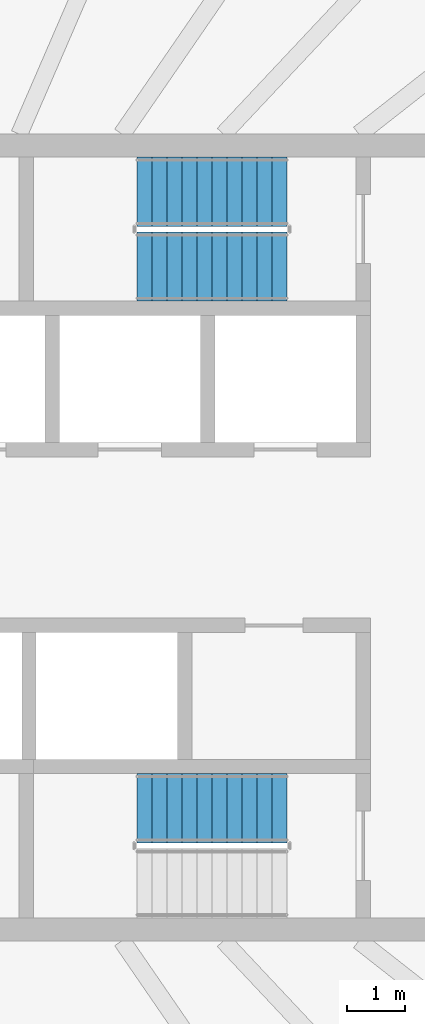
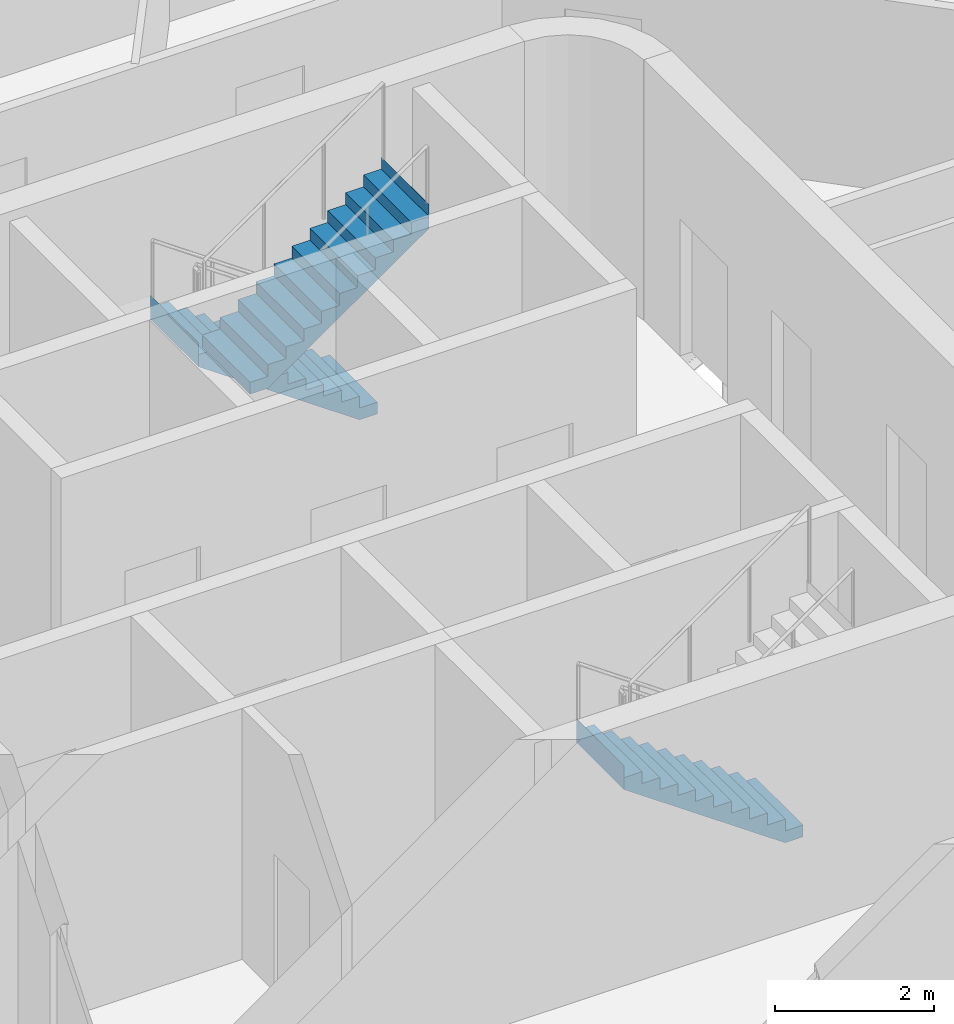
# One storey, part 14 of 19: 3 stair flights, 2 elements without a shape of their own.
"""IFC4 building model written with IfcOpenShell, lengths in metres."""

from ifc_helpers import new_model, si_unit, direction, frame, origin, place, context, subcontext, project, spatial, triangles, material, type_object, element, aggregate, save


model = new_model("IFC4")

# Units and contexts
model_context = context("Model", 3, precision=1e-05, world=origin(), true_north=direction((0.0, 1.0)))
body_context = subcontext(model_context, "Body", "Model", "MODEL_VIEW")
ifc_project = project(units=[si_unit("LENGTHUNIT", "METRE"), si_unit("AREAUNIT", "SQUARE_METRE"), si_unit("VOLUMEUNIT", "CUBIC_METRE"), si_unit("PLANEANGLEUNIT", "RADIAN"), si_unit("MASSUNIT", "GRAM", prefix="KILO")], contexts=[model_context])

# Site, building, storey
site_placement = place(None, origin())
site = spatial("IfcSite", under=ifc_project, at=site_placement, CompositionType="ELEMENT")
building_placement = place(site_placement, origin())
building = spatial("IfcBuilding", under=site, at=building_placement, Name="Sahrelin Media Tower", CompositionType="ELEMENT")
storey_placement = place(building_placement, frame((0.0, 0.0, 275.0)))
storey = spatial("IfcBuildingStorey", under=building, at=storey_placement, Name="L60", CompositionType="ELEMENT", Elevation=275.0)

# Stair, stair flights
ifc_material = material(Name="Concrete C40/50", Category="concrete")
stair_type = type_object("IfcStairType", Name="Exit stair 1200", PredefinedType="HALF_TURN_STAIR", material=ifc_material)
placement = place(storey_placement, origin())
stair_1 = element("IfcStair", 1, at=placement, inside=storey, type_object=stair_type, Name="L60 Exit stair ST3", PredefinedType="HALF_TURN_STAIR")
stair_flight_type = type_object("IfcStairFlightType", Name="Stair flight 1200", PredefinedType="STRAIGHT", material=ifc_material)
stair_flight_1_placement = place(storey_placement, frame((7.675048828125, 6.0, 0.0), z_axis=(0.0, 0.0, 1.0), x_axis=(-1.0, 0.0, 0.0)))
stair_flight_1 = element("IfcStairFlight", 2, at=stair_flight_1_placement, type_object=stair_flight_type, Name="ST3 flight 1", NumberOfRisers=11, NumberOfTreads=10, PredefinedType="STRAIGHT", RiserHeight=0.181818182, TreadLength=0.26, context=body_context, shape_type="Tessellation", body=[
    triangles([(0.261474609375, 0.60009765625, 0.0), (0.261474609375, 0.300048828125, 0.0), (0.261474609375, 0.0, 0.0), (0.261474609375, -0.300048828125, 0.0), (0.261474609375, -0.60009765625, 0.0), (2.60009765625, 0.60009765625, 1.63525390625), (2.60009765625, 0.300048828125, 1.63525390625), (2.60009765625, 0.0, 1.63525390625), (2.60009765625, -0.300048828125, 1.63525390625), (2.60009765625, -0.60009765625, 1.63525390625), (2.60009765625, 0.60009765625, 2.0), (2.60009765625, 0.300048828125, 2.0), (2.60009765625, 0.0, 2.0), (2.60009765625, -0.300048828125, 2.0), (2.60009765625, -0.60009765625, 2.0), (2.597900390625, 0.60009765625, 2.0), (2.597900390625, 0.300048828125, 2.0), (2.597900390625, 0.0, 2.0), (2.597900390625, -0.300048828125, 2.0), (2.597900390625, -0.60009765625, 2.0), (2.597900390625, 0.60009765625, 1.818115234375), (2.597900390625, 0.300048828125, 1.818115234375), (2.597900390625, 0.0, 1.818115234375), (2.597900390625, -0.300048828125, 1.818115234375), (2.597900390625, -0.60009765625, 1.818115234375), (2.340087890625, 0.60009765625, 1.818115234375), (2.340087890625, 0.300048828125, 1.818115234375), (2.340087890625, 0.0, 1.818115234375), (2.340087890625, -0.300048828125, 1.818115234375), (2.340087890625, -0.60009765625, 1.818115234375), (2.340087890625, 0.60009765625, 1.636474609375), (2.340087890625, 0.300048828125, 1.636474609375), (2.340087890625, 0.0, 1.636474609375), (2.340087890625, -0.300048828125, 1.636474609375), (2.340087890625, -0.60009765625, 1.636474609375), (2.080078125, 0.60009765625, 1.636474609375), (2.080078125, 0.300048828125, 1.636474609375), (2.080078125, 0.0, 1.636474609375), (2.080078125, -0.300048828125, 1.636474609375), (2.080078125, -0.60009765625, 1.636474609375), (2.080078125, 0.60009765625, 1.45458984375), (2.080078125, 0.300048828125, 1.45458984375), (2.080078125, 0.0, 1.45458984375), (2.080078125, -0.300048828125, 1.45458984375), (2.080078125, -0.60009765625, 1.45458984375), (1.820068359375, 0.60009765625, 1.45458984375), (1.820068359375, 0.300048828125, 1.45458984375), (1.820068359375, 0.0, 1.45458984375), (1.820068359375, -0.300048828125, 1.45458984375), (1.820068359375, -0.60009765625, 1.45458984375), (1.820068359375, 0.60009765625, 1.272705078125), (1.820068359375, 0.300048828125, 1.272705078125), (1.820068359375, 0.0, 1.272705078125), (1.820068359375, -0.300048828125, 1.272705078125), (1.820068359375, -0.60009765625, 1.272705078125), (1.56005859375, 0.60009765625, 1.272705078125), (1.56005859375, 0.300048828125, 1.272705078125), (1.56005859375, 0.0, 1.272705078125), (1.56005859375, -0.300048828125, 1.272705078125), (1.56005859375, -0.60009765625, 1.272705078125), (1.56005859375, 0.60009765625, 1.0908203125), (1.56005859375, 0.300048828125, 1.0908203125), (1.56005859375, 0.0, 1.0908203125), (1.56005859375, -0.300048828125, 1.0908203125), (1.56005859375, -0.60009765625, 1.0908203125), (1.300048828125, 0.60009765625, 1.0908203125), (1.300048828125, 0.300048828125, 1.0908203125), (1.300048828125, 0.0, 1.0908203125), (1.300048828125, -0.300048828125, 1.0908203125), (1.300048828125, -0.60009765625, 1.0908203125), (1.300048828125, 0.60009765625, 0.9091796875), (1.300048828125, 0.300048828125, 0.9091796875), (1.300048828125, 0.0, 0.9091796875), (1.300048828125, -0.300048828125, 0.9091796875), (1.300048828125, -0.60009765625, 0.9091796875), (1.0400390625, 0.60009765625, 0.9091796875), (1.0400390625, 0.300048828125, 0.9091796875), (1.0400390625, 0.0, 0.9091796875), (1.0400390625, -0.300048828125, 0.9091796875), (1.0400390625, -0.60009765625, 0.9091796875), (1.0400390625, 0.60009765625, 0.727294921875), (1.0400390625, 0.300048828125, 0.727294921875), (1.0400390625, 0.0, 0.727294921875), (1.0400390625, -0.300048828125, 0.727294921875), (1.0400390625, -0.60009765625, 0.727294921875), (0.780029296875, 0.60009765625, 0.727294921875), (0.780029296875, 0.300048828125, 0.727294921875), (0.780029296875, 0.0, 0.727294921875), (0.780029296875, -0.300048828125, 0.727294921875), (0.780029296875, -0.60009765625, 0.727294921875), (0.780029296875, 0.60009765625, 0.54541015625), (0.780029296875, 0.300048828125, 0.54541015625), (0.780029296875, 0.0, 0.54541015625), (0.780029296875, -0.300048828125, 0.54541015625), (0.780029296875, -0.60009765625, 0.54541015625), (0.52001953125, 0.60009765625, 0.54541015625), (0.52001953125, 0.300048828125, 0.54541015625), (0.52001953125, 0.0, 0.54541015625), (0.52001953125, -0.300048828125, 0.54541015625), (0.52001953125, -0.60009765625, 0.54541015625), (0.52001953125, 0.60009765625, 0.363525390625), (0.52001953125, 0.300048828125, 0.363525390625), (0.52001953125, 0.0, 0.363525390625), (0.52001953125, -0.300048828125, 0.363525390625), (0.52001953125, -0.60009765625, 0.363525390625), (0.260009765625, 0.60009765625, 0.363525390625), (0.260009765625, 0.300048828125, 0.363525390625), (0.260009765625, 0.0, 0.363525390625), (0.260009765625, -0.300048828125, 0.363525390625), (0.260009765625, -0.60009765625, 0.363525390625), (0.260009765625, 0.60009765625, 0.181884765625), (0.260009765625, 0.300048828125, 0.181884765625), (0.260009765625, 0.0, 0.181884765625), (0.260009765625, -0.300048828125, 0.181884765625), (0.260009765625, -0.60009765625, 0.181884765625), (0.0, 0.60009765625, 0.181884765625), (0.0, 0.300048828125, 0.181884765625), (0.0, 0.0, 0.181884765625), (0.0, -0.300048828125, 0.181884765625), (0.0, -0.60009765625, 0.181884765625), (0.0, 0.60009765625, 0.0), (0.0, 0.300048828125, 0.0), (0.0, 0.0, 0.0), (0.0, -0.300048828125, 0.0), (0.0, -0.60009765625, 0.0)], [[1, 6, 7], [1, 7, 2], [2, 7, 8], [2, 8, 3], [3, 8, 9], [3, 9, 4], [4, 9, 10], [4, 10, 5], [6, 11, 12], [6, 12, 7], [7, 12, 13], [7, 13, 8], [8, 13, 14], [8, 14, 9], [9, 14, 15], [9, 15, 10], [11, 16, 17], [11, 17, 12], [12, 17, 18], [12, 18, 13], [13, 18, 19], [13, 19, 14], [14, 19, 20], [14, 20, 15], [16, 21, 22], [16, 22, 17], [17, 22, 23], [17, 23, 18], [18, 23, 24], [18, 24, 19], [19, 24, 25], [19, 25, 20], [21, 26, 27], [21, 27, 22], [22, 27, 28], [22, 28, 23], [23, 28, 29], [23, 29, 24], [24, 29, 30], [24, 30, 25], [26, 31, 32], [26, 32, 27], [27, 32, 33], [27, 33, 28], [28, 33, 34], [28, 34, 29], [29, 34, 35], [29, 35, 30], [31, 36, 37], [31, 37, 32], [32, 37, 38], [32, 38, 33], [33, 38, 39], [33, 39, 34], [34, 39, 40], [34, 40, 35], [36, 41, 42], [36, 42, 37], [37, 42, 43], [37, 43, 38], [38, 43, 44], [38, 44, 39], [39, 44, 45], [39, 45, 40], [41, 46, 47], [41, 47, 42], [42, 47, 48], [42, 48, 43], [43, 48, 49], [43, 49, 44], [44, 49, 50], [44, 50, 45], [46, 51, 52], [46, 52, 47], [47, 52, 53], [47, 53, 48], [48, 53, 54], [48, 54, 49], [49, 54, 55], [49, 55, 50], [51, 56, 57], [51, 57, 52], [52, 57, 58], [52, 58, 53], [53, 58, 59], [53, 59, 54], [54, 59, 60], [54, 60, 55], [56, 61, 62], [56, 62, 57], [57, 62, 63], [57, 63, 58], [58, 63, 64], [58, 64, 59], [59, 64, 65], [59, 65, 60], [61, 66, 67], [61, 67, 62], [62, 67, 68], [62, 68, 63], [63, 68, 69], [63, 69, 64], [64, 69, 70], [64, 70, 65], [66, 71, 72], [66, 72, 67], [67, 72, 73], [67, 73, 68], [68, 73, 74], [68, 74, 69], [69, 74, 75], [69, 75, 70], [71, 76, 77], [71, 77, 72], [72, 77, 78], [72, 78, 73], [73, 78, 79], [73, 79, 74], [74, 79, 80], [74, 80, 75], [76, 81, 82], [76, 82, 77], [77, 82, 83], [77, 83, 78], [78, 83, 84], [78, 84, 79], [79, 84, 85], [79, 85, 80], [81, 86, 87], [81, 87, 82], [82, 87, 88], [82, 88, 83], [83, 88, 89], [83, 89, 84], [84, 89, 90], [84, 90, 85], [86, 91, 92], [86, 92, 87], [87, 92, 93], [87, 93, 88], [88, 93, 94], [88, 94, 89], [89, 94, 95], [89, 95, 90], [91, 96, 97], [91, 97, 92], [92, 97, 98], [92, 98, 93], [93, 98, 99], [93, 99, 94], [94, 99, 100], [94, 100, 95], [96, 101, 102], [96, 102, 97], [97, 102, 103], [97, 103, 98], [98, 103, 104], [98, 104, 99], [99, 104, 105], [99, 105, 100], [101, 106, 107], [101, 107, 102], [102, 107, 108], [102, 108, 103], [103, 108, 109], [103, 109, 104], [104, 109, 110], [104, 110, 105], [106, 111, 112], [106, 112, 107], [107, 112, 113], [107, 113, 108], [108, 113, 114], [108, 114, 109], [109, 114, 115], [109, 115, 110], [111, 116, 117], [111, 117, 112], [112, 117, 118], [112, 118, 113], [113, 118, 119], [113, 119, 114], [114, 119, 120], [114, 120, 115], [116, 121, 122], [116, 122, 117], [117, 122, 123], [117, 123, 118], [118, 123, 124], [118, 124, 119], [119, 124, 125], [119, 125, 120], [121, 1, 2], [121, 2, 122], [122, 2, 3], [122, 3, 123], [123, 3, 4], [123, 4, 124], [124, 4, 5], [124, 5, 125], [115, 120, 125], [111, 121, 116], [115, 105, 110], [111, 106, 101], [105, 95, 100], [101, 96, 91], [95, 85, 90], [91, 86, 81], [85, 75, 80], [81, 76, 71], [75, 65, 70], [71, 66, 61], [65, 55, 60], [61, 56, 51], [55, 45, 50], [51, 46, 41], [45, 35, 40], [41, 36, 31], [35, 25, 30], [31, 26, 21], [25, 15, 20], [21, 16, 11], [125, 5, 115], [121, 111, 1], [25, 10, 15], [21, 11, 6], [105, 115, 5], [101, 1, 111], [35, 10, 25], [31, 21, 6], [95, 105, 5], [91, 1, 101], [45, 10, 35], [41, 31, 6], [85, 95, 5], [81, 1, 91], [55, 10, 45], [51, 41, 6], [75, 85, 5], [71, 1, 81], [65, 10, 55], [61, 51, 6], [5, 10, 75], [1, 71, 6], [75, 10, 65], [71, 61, 6]], closed=True),
])
stair_flight_2_placement = place(storey_placement, frame((5.074951171875, 4.699951171875, 2.0), z_axis=(0.0, 0.0, 1.0), x_axis=(1.0, 0.0, 0.0)))
stair_flight_2 = element("IfcStairFlight", 3, at=stair_flight_2_placement, type_object=stair_flight_type, Name="ST3 flight 2", NumberOfRisers=11, NumberOfTreads=10, PredefinedType="STRAIGHT", RiserHeight=0.181818182, TreadLength=0.26, context=body_context, shape_type="Tessellation", body=[
    triangles([(0.261474609375, 0.60009765625, 0.0), (0.261474609375, 0.300048828125, 0.0), (0.261474609375, 0.0, 0.0), (0.261474609375, -0.300048828125, 0.0), (0.261474609375, -0.60009765625, 0.0), (2.60009765625, 0.60009765625, 1.63525390625), (2.60009765625, 0.300048828125, 1.63525390625), (2.60009765625, 0.0, 1.63525390625), (2.60009765625, -0.300048828125, 1.63525390625), (2.60009765625, -0.60009765625, 1.63525390625), (2.60009765625, 0.60009765625, 2.0), (2.60009765625, 0.300048828125, 2.0), (2.60009765625, 0.0, 2.0), (2.60009765625, -0.300048828125, 2.0), (2.60009765625, -0.60009765625, 2.0), (2.597900390625, 0.60009765625, 2.0), (2.597900390625, 0.300048828125, 2.0), (2.597900390625, 0.0, 2.0), (2.597900390625, -0.300048828125, 2.0), (2.597900390625, -0.60009765625, 2.0), (2.597900390625, 0.60009765625, 1.818115234375), (2.597900390625, 0.300048828125, 1.818115234375), (2.597900390625, 0.0, 1.818115234375), (2.597900390625, -0.300048828125, 1.818115234375), (2.597900390625, -0.60009765625, 1.818115234375), (2.340087890625, 0.60009765625, 1.818115234375), (2.340087890625, 0.300048828125, 1.818115234375), (2.340087890625, 0.0, 1.818115234375), (2.340087890625, -0.300048828125, 1.818115234375), (2.340087890625, -0.60009765625, 1.818115234375), (2.340087890625, 0.60009765625, 1.636474609375), (2.340087890625, 0.300048828125, 1.636474609375), (2.340087890625, 0.0, 1.636474609375), (2.340087890625, -0.300048828125, 1.636474609375), (2.340087890625, -0.60009765625, 1.636474609375), (2.080078125, 0.60009765625, 1.636474609375), (2.080078125, 0.300048828125, 1.636474609375), (2.080078125, 0.0, 1.636474609375), (2.080078125, -0.300048828125, 1.636474609375), (2.080078125, -0.60009765625, 1.636474609375), (2.080078125, 0.60009765625, 1.45458984375), (2.080078125, 0.300048828125, 1.45458984375), (2.080078125, 0.0, 1.45458984375), (2.080078125, -0.300048828125, 1.45458984375), (2.080078125, -0.60009765625, 1.45458984375), (1.820068359375, 0.60009765625, 1.45458984375), (1.820068359375, 0.300048828125, 1.45458984375), (1.820068359375, 0.0, 1.45458984375), (1.820068359375, -0.300048828125, 1.45458984375), (1.820068359375, -0.60009765625, 1.45458984375), (1.820068359375, 0.60009765625, 1.272705078125), (1.820068359375, 0.300048828125, 1.272705078125), (1.820068359375, 0.0, 1.272705078125), (1.820068359375, -0.300048828125, 1.272705078125), (1.820068359375, -0.60009765625, 1.272705078125), (1.56005859375, 0.60009765625, 1.272705078125), (1.56005859375, 0.300048828125, 1.272705078125), (1.56005859375, 0.0, 1.272705078125), (1.56005859375, -0.300048828125, 1.272705078125), (1.56005859375, -0.60009765625, 1.272705078125), (1.56005859375, 0.60009765625, 1.0908203125), (1.56005859375, 0.300048828125, 1.0908203125), (1.56005859375, 0.0, 1.0908203125), (1.56005859375, -0.300048828125, 1.0908203125), (1.56005859375, -0.60009765625, 1.0908203125), (1.300048828125, 0.60009765625, 1.0908203125), (1.300048828125, 0.300048828125, 1.0908203125), (1.300048828125, 0.0, 1.0908203125), (1.300048828125, -0.300048828125, 1.0908203125), (1.300048828125, -0.60009765625, 1.0908203125), (1.300048828125, 0.60009765625, 0.9091796875), (1.300048828125, 0.300048828125, 0.9091796875), (1.300048828125, 0.0, 0.9091796875), (1.300048828125, -0.300048828125, 0.9091796875), (1.300048828125, -0.60009765625, 0.9091796875), (1.0400390625, 0.60009765625, 0.9091796875), (1.0400390625, 0.300048828125, 0.9091796875), (1.0400390625, 0.0, 0.9091796875), (1.0400390625, -0.300048828125, 0.9091796875), (1.0400390625, -0.60009765625, 0.9091796875), (1.0400390625, 0.60009765625, 0.727294921875), (1.0400390625, 0.300048828125, 0.727294921875), (1.0400390625, 0.0, 0.727294921875), (1.0400390625, -0.300048828125, 0.727294921875), (1.0400390625, -0.60009765625, 0.727294921875), (0.780029296875, 0.60009765625, 0.727294921875), (0.780029296875, 0.300048828125, 0.727294921875), (0.780029296875, 0.0, 0.727294921875), (0.780029296875, -0.300048828125, 0.727294921875), (0.780029296875, -0.60009765625, 0.727294921875), (0.780029296875, 0.60009765625, 0.54541015625), (0.780029296875, 0.300048828125, 0.54541015625), (0.780029296875, 0.0, 0.54541015625), (0.780029296875, -0.300048828125, 0.54541015625), (0.780029296875, -0.60009765625, 0.54541015625), (0.52001953125, 0.60009765625, 0.54541015625), (0.52001953125, 0.300048828125, 0.54541015625), (0.52001953125, 0.0, 0.54541015625), (0.52001953125, -0.300048828125, 0.54541015625), (0.52001953125, -0.60009765625, 0.54541015625), (0.52001953125, 0.60009765625, 0.363525390625), (0.52001953125, 0.300048828125, 0.363525390625), (0.52001953125, 0.0, 0.363525390625), (0.52001953125, -0.300048828125, 0.363525390625), (0.52001953125, -0.60009765625, 0.363525390625), (0.260009765625, 0.60009765625, 0.363525390625), (0.260009765625, 0.300048828125, 0.363525390625), (0.260009765625, 0.0, 0.363525390625), (0.260009765625, -0.300048828125, 0.363525390625), (0.260009765625, -0.60009765625, 0.363525390625), (0.260009765625, 0.60009765625, 0.181884765625), (0.260009765625, 0.300048828125, 0.181884765625), (0.260009765625, 0.0, 0.181884765625), (0.260009765625, -0.300048828125, 0.181884765625), (0.260009765625, -0.60009765625, 0.181884765625), (0.0, 0.60009765625, 0.181884765625), (0.0, 0.300048828125, 0.181884765625), (0.0, 0.0, 0.181884765625), (0.0, -0.300048828125, 0.181884765625), (0.0, -0.60009765625, 0.181884765625), (0.0, 0.60009765625, 0.0), (0.0, 0.300048828125, 0.0), (0.0, 0.0, 0.0), (0.0, -0.300048828125, 0.0), (0.0, -0.60009765625, 0.0)], [[1, 6, 7], [1, 7, 2], [2, 7, 8], [2, 8, 3], [3, 8, 9], [3, 9, 4], [4, 9, 10], [4, 10, 5], [6, 11, 12], [6, 12, 7], [7, 12, 13], [7, 13, 8], [8, 13, 14], [8, 14, 9], [9, 14, 15], [9, 15, 10], [11, 16, 17], [11, 17, 12], [12, 17, 18], [12, 18, 13], [13, 18, 19], [13, 19, 14], [14, 19, 20], [14, 20, 15], [16, 21, 22], [16, 22, 17], [17, 22, 23], [17, 23, 18], [18, 23, 24], [18, 24, 19], [19, 24, 25], [19, 25, 20], [21, 26, 27], [21, 27, 22], [22, 27, 28], [22, 28, 23], [23, 28, 29], [23, 29, 24], [24, 29, 30], [24, 30, 25], [26, 31, 32], [26, 32, 27], [27, 32, 33], [27, 33, 28], [28, 33, 34], [28, 34, 29], [29, 34, 35], [29, 35, 30], [31, 36, 37], [31, 37, 32], [32, 37, 38], [32, 38, 33], [33, 38, 39], [33, 39, 34], [34, 39, 40], [34, 40, 35], [36, 41, 42], [36, 42, 37], [37, 42, 43], [37, 43, 38], [38, 43, 44], [38, 44, 39], [39, 44, 45], [39, 45, 40], [41, 46, 47], [41, 47, 42], [42, 47, 48], [42, 48, 43], [43, 48, 49], [43, 49, 44], [44, 49, 50], [44, 50, 45], [46, 51, 52], [46, 52, 47], [47, 52, 53], [47, 53, 48], [48, 53, 54], [48, 54, 49], [49, 54, 55], [49, 55, 50], [51, 56, 57], [51, 57, 52], [52, 57, 58], [52, 58, 53], [53, 58, 59], [53, 59, 54], [54, 59, 60], [54, 60, 55], [56, 61, 62], [56, 62, 57], [57, 62, 63], [57, 63, 58], [58, 63, 64], [58, 64, 59], [59, 64, 65], [59, 65, 60], [61, 66, 67], [61, 67, 62], [62, 67, 68], [62, 68, 63], [63, 68, 69], [63, 69, 64], [64, 69, 70], [64, 70, 65], [66, 71, 72], [66, 72, 67], [67, 72, 73], [67, 73, 68], [68, 73, 74], [68, 74, 69], [69, 74, 75], [69, 75, 70], [71, 76, 77], [71, 77, 72], [72, 77, 78], [72, 78, 73], [73, 78, 79], [73, 79, 74], [74, 79, 80], [74, 80, 75], [76, 81, 82], [76, 82, 77], [77, 82, 83], [77, 83, 78], [78, 83, 84], [78, 84, 79], [79, 84, 85], [79, 85, 80], [81, 86, 87], [81, 87, 82], [82, 87, 88], [82, 88, 83], [83, 88, 89], [83, 89, 84], [84, 89, 90], [84, 90, 85], [86, 91, 92], [86, 92, 87], [87, 92, 93], [87, 93, 88], [88, 93, 94], [88, 94, 89], [89, 94, 95], [89, 95, 90], [91, 96, 97], [91, 97, 92], [92, 97, 98], [92, 98, 93], [93, 98, 99], [93, 99, 94], [94, 99, 100], [94, 100, 95], [96, 101, 102], [96, 102, 97], [97, 102, 103], [97, 103, 98], [98, 103, 104], [98, 104, 99], [99, 104, 105], [99, 105, 100], [101, 106, 107], [101, 107, 102], [102, 107, 108], [102, 108, 103], [103, 108, 109], [103, 109, 104], [104, 109, 110], [104, 110, 105], [106, 111, 112], [106, 112, 107], [107, 112, 113], [107, 113, 108], [108, 113, 114], [108, 114, 109], [109, 114, 115], [109, 115, 110], [111, 116, 117], [111, 117, 112], [112, 117, 118], [112, 118, 113], [113, 118, 119], [113, 119, 114], [114, 119, 120], [114, 120, 115], [116, 121, 122], [116, 122, 117], [117, 122, 123], [117, 123, 118], [118, 123, 124], [118, 124, 119], [119, 124, 125], [119, 125, 120], [121, 1, 2], [121, 2, 122], [122, 2, 3], [122, 3, 123], [123, 3, 4], [123, 4, 124], [124, 4, 5], [124, 5, 125], [115, 120, 125], [111, 121, 116], [115, 105, 110], [111, 106, 101], [105, 95, 100], [101, 96, 91], [95, 85, 90], [91, 86, 81], [85, 75, 80], [81, 76, 71], [75, 65, 70], [71, 66, 61], [65, 55, 60], [61, 56, 51], [55, 45, 50], [51, 46, 41], [45, 35, 40], [41, 36, 31], [35, 25, 30], [31, 26, 21], [25, 15, 20], [21, 16, 11], [125, 5, 115], [121, 111, 1], [25, 10, 15], [21, 11, 6], [105, 115, 5], [101, 1, 111], [35, 10, 25], [31, 21, 6], [95, 105, 5], [91, 1, 101], [45, 10, 35], [41, 31, 6], [85, 95, 5], [81, 1, 91], [55, 10, 45], [51, 41, 6], [75, 85, 5], [71, 1, 81], [65, 10, 55], [61, 51, 6], [5, 10, 75], [1, 71, 6], [75, 10, 65], [71, 61, 6]], closed=True),
])
aggregate(stair_1, [stair_flight_1, stair_flight_2])

# Stair, stair flight
stair_2 = element("IfcStair", 4, at=placement, inside=storey, type_object=stair_type, Name="L60 Exit stair ST2", PredefinedType="HALF_TURN_STAIR")
stair_flight_3_placement = place(storey_placement, frame((7.675048828125, -4.699951171875, 0.0), z_axis=(0.0, 0.0, 1.0), x_axis=(-1.0, 0.0, 0.0)))
stair_flight_3 = element("IfcStairFlight", 5, at=stair_flight_3_placement, type_object=stair_flight_type, Name="ST2 flight 1", NumberOfRisers=11, NumberOfTreads=10, PredefinedType="STRAIGHT", RiserHeight=0.181818182, TreadLength=0.26, context=body_context, shape_type="Tessellation", body=[
    triangles([(0.261474609375, 0.60009765625, 0.0), (0.261474609375, 0.300048828125, 0.0), (0.261474609375, 0.0, 0.0), (0.261474609375, -0.300048828125, 0.0), (0.261474609375, -0.60009765625, 0.0), (2.60009765625, 0.60009765625, 1.63525390625), (2.60009765625, 0.300048828125, 1.63525390625), (2.60009765625, 0.0, 1.63525390625), (2.60009765625, -0.300048828125, 1.63525390625), (2.60009765625, -0.60009765625, 1.63525390625), (2.60009765625, 0.60009765625, 2.0), (2.60009765625, 0.300048828125, 2.0), (2.60009765625, 0.0, 2.0), (2.60009765625, -0.300048828125, 2.0), (2.60009765625, -0.60009765625, 2.0), (2.597900390625, 0.60009765625, 2.0), (2.597900390625, 0.300048828125, 2.0), (2.597900390625, 0.0, 2.0), (2.597900390625, -0.300048828125, 2.0), (2.597900390625, -0.60009765625, 2.0), (2.597900390625, 0.60009765625, 1.818115234375), (2.597900390625, 0.300048828125, 1.818115234375), (2.597900390625, 0.0, 1.818115234375), (2.597900390625, -0.300048828125, 1.818115234375), (2.597900390625, -0.60009765625, 1.818115234375), (2.340087890625, 0.60009765625, 1.818115234375), (2.340087890625, 0.300048828125, 1.818115234375), (2.340087890625, 0.0, 1.818115234375), (2.340087890625, -0.300048828125, 1.818115234375), (2.340087890625, -0.60009765625, 1.818115234375), (2.340087890625, 0.60009765625, 1.636474609375), (2.340087890625, 0.300048828125, 1.636474609375), (2.340087890625, 0.0, 1.636474609375), (2.340087890625, -0.300048828125, 1.636474609375), (2.340087890625, -0.60009765625, 1.636474609375), (2.080078125, 0.60009765625, 1.636474609375), (2.080078125, 0.300048828125, 1.636474609375), (2.080078125, 0.0, 1.636474609375), (2.080078125, -0.300048828125, 1.636474609375), (2.080078125, -0.60009765625, 1.636474609375), (2.080078125, 0.60009765625, 1.45458984375), (2.080078125, 0.300048828125, 1.45458984375), (2.080078125, 0.0, 1.45458984375), (2.080078125, -0.300048828125, 1.45458984375), (2.080078125, -0.60009765625, 1.45458984375), (1.820068359375, 0.60009765625, 1.45458984375), (1.820068359375, 0.300048828125, 1.45458984375), (1.820068359375, 0.0, 1.45458984375), (1.820068359375, -0.300048828125, 1.45458984375), (1.820068359375, -0.60009765625, 1.45458984375), (1.820068359375, 0.60009765625, 1.272705078125), (1.820068359375, 0.300048828125, 1.272705078125), (1.820068359375, 0.0, 1.272705078125), (1.820068359375, -0.300048828125, 1.272705078125), (1.820068359375, -0.60009765625, 1.272705078125), (1.56005859375, 0.60009765625, 1.272705078125), (1.56005859375, 0.300048828125, 1.272705078125), (1.56005859375, 0.0, 1.272705078125), (1.56005859375, -0.300048828125, 1.272705078125), (1.56005859375, -0.60009765625, 1.272705078125), (1.56005859375, 0.60009765625, 1.0908203125), (1.56005859375, 0.300048828125, 1.0908203125), (1.56005859375, 0.0, 1.0908203125), (1.56005859375, -0.300048828125, 1.0908203125), (1.56005859375, -0.60009765625, 1.0908203125), (1.300048828125, 0.60009765625, 1.0908203125), (1.300048828125, 0.300048828125, 1.0908203125), (1.300048828125, 0.0, 1.0908203125), (1.300048828125, -0.300048828125, 1.0908203125), (1.300048828125, -0.60009765625, 1.0908203125), (1.300048828125, 0.60009765625, 0.9091796875), (1.300048828125, 0.300048828125, 0.9091796875), (1.300048828125, 0.0, 0.9091796875), (1.300048828125, -0.300048828125, 0.9091796875), (1.300048828125, -0.60009765625, 0.9091796875), (1.0400390625, 0.60009765625, 0.9091796875), (1.0400390625, 0.300048828125, 0.9091796875), (1.0400390625, 0.0, 0.9091796875), (1.0400390625, -0.300048828125, 0.9091796875), (1.0400390625, -0.60009765625, 0.9091796875), (1.0400390625, 0.60009765625, 0.727294921875), (1.0400390625, 0.300048828125, 0.727294921875), (1.0400390625, 0.0, 0.727294921875), (1.0400390625, -0.300048828125, 0.727294921875), (1.0400390625, -0.60009765625, 0.727294921875), (0.780029296875, 0.60009765625, 0.727294921875), (0.780029296875, 0.300048828125, 0.727294921875), (0.780029296875, 0.0, 0.727294921875), (0.780029296875, -0.300048828125, 0.727294921875), (0.780029296875, -0.60009765625, 0.727294921875), (0.780029296875, 0.60009765625, 0.54541015625), (0.780029296875, 0.300048828125, 0.54541015625), (0.780029296875, 0.0, 0.54541015625), (0.780029296875, -0.300048828125, 0.54541015625), (0.780029296875, -0.60009765625, 0.54541015625), (0.52001953125, 0.60009765625, 0.54541015625), (0.52001953125, 0.300048828125, 0.54541015625), (0.52001953125, 0.0, 0.54541015625), (0.52001953125, -0.300048828125, 0.54541015625), (0.52001953125, -0.60009765625, 0.54541015625), (0.52001953125, 0.60009765625, 0.363525390625), (0.52001953125, 0.300048828125, 0.363525390625), (0.52001953125, 0.0, 0.363525390625), (0.52001953125, -0.300048828125, 0.363525390625), (0.52001953125, -0.60009765625, 0.363525390625), (0.260009765625, 0.60009765625, 0.363525390625), (0.260009765625, 0.300048828125, 0.363525390625), (0.260009765625, 0.0, 0.363525390625), (0.260009765625, -0.300048828125, 0.363525390625), (0.260009765625, -0.60009765625, 0.363525390625), (0.260009765625, 0.60009765625, 0.181884765625), (0.260009765625, 0.300048828125, 0.181884765625), (0.260009765625, 0.0, 0.181884765625), (0.260009765625, -0.300048828125, 0.181884765625), (0.260009765625, -0.60009765625, 0.181884765625), (0.0, 0.60009765625, 0.181884765625), (0.0, 0.300048828125, 0.181884765625), (0.0, 0.0, 0.181884765625), (0.0, -0.300048828125, 0.181884765625), (0.0, -0.60009765625, 0.181884765625), (0.0, 0.60009765625, 0.0), (0.0, 0.300048828125, 0.0), (0.0, 0.0, 0.0), (0.0, -0.300048828125, 0.0), (0.0, -0.60009765625, 0.0)], [[1, 6, 7], [1, 7, 2], [2, 7, 8], [2, 8, 3], [3, 8, 9], [3, 9, 4], [4, 9, 10], [4, 10, 5], [6, 11, 12], [6, 12, 7], [7, 12, 13], [7, 13, 8], [8, 13, 14], [8, 14, 9], [9, 14, 15], [9, 15, 10], [11, 16, 17], [11, 17, 12], [12, 17, 18], [12, 18, 13], [13, 18, 19], [13, 19, 14], [14, 19, 20], [14, 20, 15], [16, 21, 22], [16, 22, 17], [17, 22, 23], [17, 23, 18], [18, 23, 24], [18, 24, 19], [19, 24, 25], [19, 25, 20], [21, 26, 27], [21, 27, 22], [22, 27, 28], [22, 28, 23], [23, 28, 29], [23, 29, 24], [24, 29, 30], [24, 30, 25], [26, 31, 32], [26, 32, 27], [27, 32, 33], [27, 33, 28], [28, 33, 34], [28, 34, 29], [29, 34, 35], [29, 35, 30], [31, 36, 37], [31, 37, 32], [32, 37, 38], [32, 38, 33], [33, 38, 39], [33, 39, 34], [34, 39, 40], [34, 40, 35], [36, 41, 42], [36, 42, 37], [37, 42, 43], [37, 43, 38], [38, 43, 44], [38, 44, 39], [39, 44, 45], [39, 45, 40], [41, 46, 47], [41, 47, 42], [42, 47, 48], [42, 48, 43], [43, 48, 49], [43, 49, 44], [44, 49, 50], [44, 50, 45], [46, 51, 52], [46, 52, 47], [47, 52, 53], [47, 53, 48], [48, 53, 54], [48, 54, 49], [49, 54, 55], [49, 55, 50], [51, 56, 57], [51, 57, 52], [52, 57, 58], [52, 58, 53], [53, 58, 59], [53, 59, 54], [54, 59, 60], [54, 60, 55], [56, 61, 62], [56, 62, 57], [57, 62, 63], [57, 63, 58], [58, 63, 64], [58, 64, 59], [59, 64, 65], [59, 65, 60], [61, 66, 67], [61, 67, 62], [62, 67, 68], [62, 68, 63], [63, 68, 69], [63, 69, 64], [64, 69, 70], [64, 70, 65], [66, 71, 72], [66, 72, 67], [67, 72, 73], [67, 73, 68], [68, 73, 74], [68, 74, 69], [69, 74, 75], [69, 75, 70], [71, 76, 77], [71, 77, 72], [72, 77, 78], [72, 78, 73], [73, 78, 79], [73, 79, 74], [74, 79, 80], [74, 80, 75], [76, 81, 82], [76, 82, 77], [77, 82, 83], [77, 83, 78], [78, 83, 84], [78, 84, 79], [79, 84, 85], [79, 85, 80], [81, 86, 87], [81, 87, 82], [82, 87, 88], [82, 88, 83], [83, 88, 89], [83, 89, 84], [84, 89, 90], [84, 90, 85], [86, 91, 92], [86, 92, 87], [87, 92, 93], [87, 93, 88], [88, 93, 94], [88, 94, 89], [89, 94, 95], [89, 95, 90], [91, 96, 97], [91, 97, 92], [92, 97, 98], [92, 98, 93], [93, 98, 99], [93, 99, 94], [94, 99, 100], [94, 100, 95], [96, 101, 102], [96, 102, 97], [97, 102, 103], [97, 103, 98], [98, 103, 104], [98, 104, 99], [99, 104, 105], [99, 105, 100], [101, 106, 107], [101, 107, 102], [102, 107, 108], [102, 108, 103], [103, 108, 109], [103, 109, 104], [104, 109, 110], [104, 110, 105], [106, 111, 112], [106, 112, 107], [107, 112, 113], [107, 113, 108], [108, 113, 114], [108, 114, 109], [109, 114, 115], [109, 115, 110], [111, 116, 117], [111, 117, 112], [112, 117, 118], [112, 118, 113], [113, 118, 119], [113, 119, 114], [114, 119, 120], [114, 120, 115], [116, 121, 122], [116, 122, 117], [117, 122, 123], [117, 123, 118], [118, 123, 124], [118, 124, 119], [119, 124, 125], [119, 125, 120], [121, 1, 2], [121, 2, 122], [122, 2, 3], [122, 3, 123], [123, 3, 4], [123, 4, 124], [124, 4, 5], [124, 5, 125], [115, 120, 125], [111, 121, 116], [115, 105, 110], [111, 106, 101], [105, 95, 100], [101, 96, 91], [95, 85, 90], [91, 86, 81], [85, 75, 80], [81, 76, 71], [75, 65, 70], [71, 66, 61], [65, 55, 60], [61, 56, 51], [55, 45, 50], [51, 46, 41], [45, 35, 40], [41, 36, 31], [35, 25, 30], [31, 26, 21], [25, 15, 20], [21, 16, 11], [125, 5, 115], [121, 111, 1], [25, 10, 15], [21, 11, 6], [105, 115, 5], [101, 1, 111], [35, 10, 25], [31, 21, 6], [95, 105, 5], [91, 1, 101], [45, 10, 35], [41, 31, 6], [85, 95, 5], [81, 1, 91], [55, 10, 45], [51, 41, 6], [75, 85, 5], [71, 1, 81], [65, 10, 55], [61, 51, 6], [5, 10, 75], [1, 71, 6], [75, 10, 65], [71, 61, 6]], closed=True),
])
aggregate(stair_2, [stair_flight_3])

save(model, "model.ifc")
